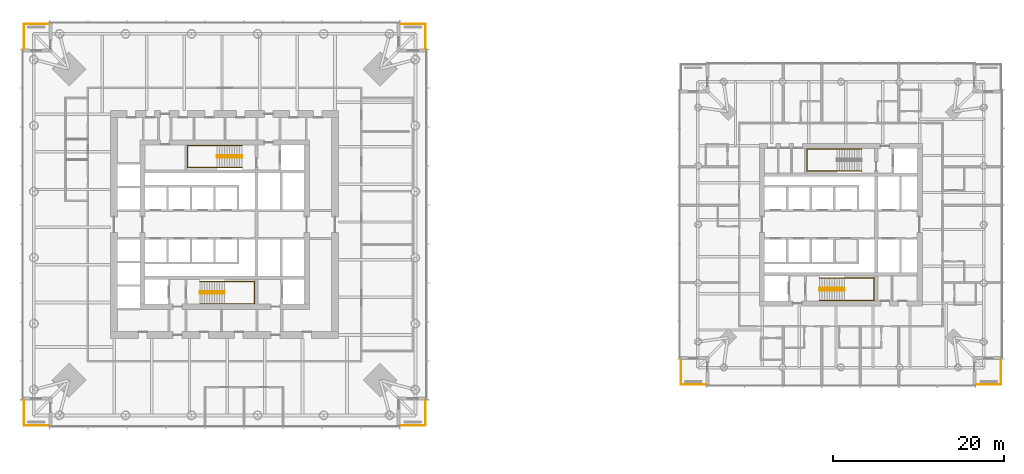
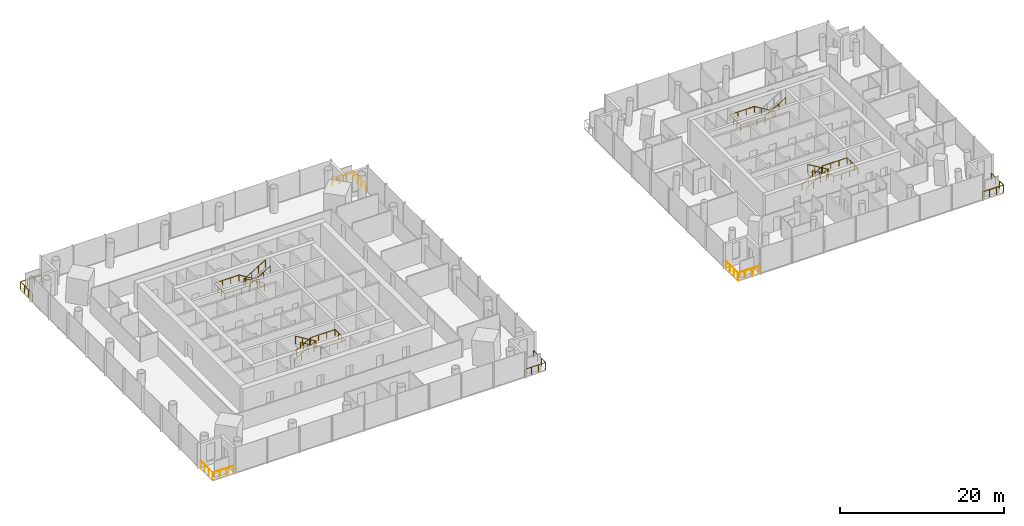
# One storey, part 17 of 18: 13 railings.
"""IFC4 building model written with IfcOpenShell, lengths in metres."""

from ifc_helpers import new_model, si_unit, direction, frame, origin, origin_2d, place, context, subcontext, project, spatial, circle, extrude, material, type_object, element, save


model = new_model("IFC4")

# Units and contexts
model_context = context("Model", 3, precision=1e-05, world=origin(), true_north=direction((0.0, 1.0)))
body_context = subcontext(model_context, "Body", "Model", "MODEL_VIEW")
ifc_project = project(units=[si_unit("LENGTHUNIT", "METRE"), si_unit("AREAUNIT", "SQUARE_METRE"), si_unit("VOLUMEUNIT", "CUBIC_METRE"), si_unit("PLANEANGLEUNIT", "RADIAN"), si_unit("MASSUNIT", "GRAM", prefix="KILO")], contexts=[model_context])

# Site, building, storey
site_placement = place(None, origin())
site = spatial("IfcSite", under=ifc_project, at=site_placement, CompositionType="ELEMENT")
building_placement = place(site_placement, origin())
building = spatial("IfcBuilding", under=site, at=building_placement, Name="Ostroluk Exchange", CompositionType="ELEMENT")
storey_placement = place(building_placement, frame((0.0, 0.0, 74.199951171875)))
storey = spatial("IfcBuildingStorey", under=building, at=storey_placement, Name="L18", CompositionType="ELEMENT", Elevation=74.199951171875)

# Railings
ifc_material_1 = material(Name="Stainless steel", Category="steel")
railing_type_1 = type_object("IfcRailingType", Name="Guard 1100 stainless steel", PredefinedType="GUARDRAIL", material=ifc_material_1)
railing_1_placement = place(storey_placement, frame((65.5, 22.550048828125, 0.0)))
element("IfcRailing", 1, at=railing_1_placement, inside=storey, type_object=railing_type_1, Name="Office tower SE balcony guard L18", PredefinedType="GUARDRAIL", context=body_context, shape_type="SweptSolid", body=[
    extrude(circle(Radius=0.02392578125, at=origin_2d()), frame((0.0, 0.0, 1.076171875), z_axis=(1.0, 0.0, 0.0), x_axis=(0.0, 1.0, 0.0)), (0.0, 0.0, 1.0), 2.949951171875),
    extrude(circle(Radius=0.02392578125, at=origin_2d()), frame((2.949951171875, 0.0, 1.076171875), z_axis=(0.0, 1.0, 0.0), x_axis=(-1.0, 0.0, 0.0)), (0.0, 0.0, 1.0), 2.949951171875),
    extrude(circle(Radius=0.02099609375, at=origin_2d()), origin(), (0.0, 0.0, 1.0), 1.052001953125),
    extrude(circle(Radius=0.02099609375, at=origin_2d()), frame((0.9833984375, 0.0, 0.0)), (0.0, 0.0, 1.0), 1.052001953125),
    extrude(circle(Radius=0.02099609375, at=origin_2d()), frame((1.966552734375, 0.0, 0.0)), (0.0, 0.0, 1.0), 1.052001953125),
    extrude(circle(Radius=0.02099609375, at=origin_2d()), frame((2.949951171875, 0.0, 0.0)), (0.0, 0.0, 1.0), 1.052001953125),
    extrude(circle(Radius=0.02099609375, at=origin_2d()), frame((2.949951171875, 0.9833984375, 0.0)), (0.0, 0.0, 1.0), 1.052001953125),
    extrude(circle(Radius=0.02099609375, at=origin_2d()), frame((2.949951171875, 1.966552734375, 0.0)), (0.0, 0.0, 1.0), 1.052001953125),
    extrude(circle(Radius=0.02099609375, at=origin_2d()), frame((2.949951171875, 2.949951171875, 0.0)), (0.0, 0.0, 1.0), 1.052001953125),
])
railing_2_placement = place(storey_placement, frame((65.5, 69.449951171875, 0.0)))
element("IfcRailing", 2, at=railing_2_placement, inside=storey, type_object=railing_type_1, Name="Office tower NE balcony guard L18", PredefinedType="GUARDRAIL", context=body_context, shape_type="SweptSolid", body=[
    extrude(circle(Radius=0.02392578125, at=origin_2d()), frame((0.0, 0.0, 1.076171875), z_axis=(1.0, 0.0, 0.0), x_axis=(0.0, 1.0, 0.0)), (0.0, 0.0, 1.0), 2.949951171875),
    extrude(circle(Radius=0.02392578125, at=origin_2d()), frame((2.949951171875, 0.0, 1.076171875), z_axis=(0.0, -1.0, 0.0), x_axis=(1.0, 0.0, 0.0)), (0.0, 0.0, 1.0), 2.949951171875),
    extrude(circle(Radius=0.02099609375, at=origin_2d()), origin(), (0.0, 0.0, 1.0), 1.052001953125),
    extrude(circle(Radius=0.02099609375, at=origin_2d()), frame((0.9833984375, 0.0, 0.0)), (0.0, 0.0, 1.0), 1.052001953125),
    extrude(circle(Radius=0.02099609375, at=origin_2d()), frame((1.966552734375, 0.0, 0.0)), (0.0, 0.0, 1.0), 1.052001953125),
    extrude(circle(Radius=0.02099609375, at=origin_2d()), frame((2.949951171875, 0.0, 0.0)), (0.0, 0.0, 1.0), 1.052001953125),
    extrude(circle(Radius=0.02099609375, at=origin_2d()), frame((2.949951171875, -0.9833984375, 0.0)), (0.0, 0.0, 1.0), 1.052001953125),
    extrude(circle(Radius=0.02099609375, at=origin_2d()), frame((2.949951171875, -1.966552734375, 0.0)), (0.0, 0.0, 1.0), 1.052001953125),
    extrude(circle(Radius=0.02099609375, at=origin_2d()), frame((2.949951171875, -2.949951171875, 0.0)), (0.0, 0.0, 1.0), 1.052001953125),
])
railing_3_placement = place(storey_placement, frame((24.5, 69.449951171875, 0.0)))
element("IfcRailing", 3, at=railing_3_placement, inside=storey, type_object=railing_type_1, Name="Office tower NW balcony guard L18", PredefinedType="GUARDRAIL", context=body_context, shape_type="SweptSolid", body=[
    extrude(circle(Radius=0.02392578125, at=origin_2d()), frame((0.0, 0.0, 1.076171875), z_axis=(-1.0, 0.0, 0.0), x_axis=(0.0, -1.0, 0.0)), (0.0, 0.0, 1.0), 2.949951171875),
    extrude(circle(Radius=0.02392578125, at=origin_2d()), frame((-2.949951171875, 0.0, 1.076171875), z_axis=(0.0, -1.0, 0.0), x_axis=(1.0, 0.0, 0.0)), (0.0, 0.0, 1.0), 2.949951171875),
    extrude(circle(Radius=0.02099609375, at=origin_2d()), origin(), (0.0, 0.0, 1.0), 1.052001953125),
    extrude(circle(Radius=0.02099609375, at=origin_2d()), frame((-0.9833984375, 0.0, 0.0)), (0.0, 0.0, 1.0), 1.052001953125),
    extrude(circle(Radius=0.02099609375, at=origin_2d()), frame((-1.966552734375, 0.0, 0.0)), (0.0, 0.0, 1.0), 1.052001953125),
    extrude(circle(Radius=0.02099609375, at=origin_2d()), frame((-2.949951171875, 0.0, 0.0)), (0.0, 0.0, 1.0), 1.052001953125),
    extrude(circle(Radius=0.02099609375, at=origin_2d()), frame((-2.949951171875, -0.9833984375, 0.0)), (0.0, 0.0, 1.0), 1.052001953125),
    extrude(circle(Radius=0.02099609375, at=origin_2d()), frame((-2.949951171875, -1.966552734375, 0.0)), (0.0, 0.0, 1.0), 1.052001953125),
    extrude(circle(Radius=0.02099609375, at=origin_2d()), frame((-2.949951171875, -2.949951171875, 0.0)), (0.0, 0.0, 1.0), 1.052001953125),
])
railing_4_placement = place(storey_placement, frame((24.5, 22.550048828125, 0.0)))
element("IfcRailing", 4, at=railing_4_placement, inside=storey, type_object=railing_type_1, Name="Office tower SW balcony guard L18", PredefinedType="GUARDRAIL", context=body_context, shape_type="SweptSolid", body=[
    extrude(circle(Radius=0.02392578125, at=origin_2d()), frame((0.0, 0.0, 1.076171875), z_axis=(-1.0, 0.0, 0.0), x_axis=(0.0, -1.0, 0.0)), (0.0, 0.0, 1.0), 2.949951171875),
    extrude(circle(Radius=0.02392578125, at=origin_2d()), frame((-2.949951171875, 0.0, 1.076171875), z_axis=(0.0, 1.0, 0.0), x_axis=(-1.0, 0.0, 0.0)), (0.0, 0.0, 1.0), 2.949951171875),
    extrude(circle(Radius=0.02099609375, at=origin_2d()), origin(), (0.0, 0.0, 1.0), 1.052001953125),
    extrude(circle(Radius=0.02099609375, at=origin_2d()), frame((-0.9833984375, 0.0, 0.0)), (0.0, 0.0, 1.0), 1.052001953125),
    extrude(circle(Radius=0.02099609375, at=origin_2d()), frame((-1.966552734375, 0.0, 0.0)), (0.0, 0.0, 1.0), 1.052001953125),
    extrude(circle(Radius=0.02099609375, at=origin_2d()), frame((-2.949951171875, 0.0, 0.0)), (0.0, 0.0, 1.0), 1.052001953125),
    extrude(circle(Radius=0.02099609375, at=origin_2d()), frame((-2.949951171875, 0.9833984375, 0.0)), (0.0, 0.0, 1.0), 1.052001953125),
    extrude(circle(Radius=0.02099609375, at=origin_2d()), frame((-2.949951171875, 1.966552734375, 0.0)), (0.0, 0.0, 1.0), 1.052001953125),
    extrude(circle(Radius=0.02099609375, at=origin_2d()), frame((-2.949951171875, 2.949951171875, 0.0)), (0.0, 0.0, 1.0), 1.052001953125),
])
railing_5_placement = place(storey_placement, frame((132.75, 27.300048828125, 0.0)))
element("IfcRailing", 5, at=railing_5_placement, inside=storey, type_object=railing_type_1, Name="Hotel tower SE balcony guard L18", PredefinedType="GUARDRAIL", context=body_context, shape_type="SweptSolid", body=[
    extrude(circle(Radius=0.02392578125, at=origin_2d()), frame((0.0, 0.0, 1.076171875), z_axis=(1.0, 0.0, 0.0), x_axis=(0.0, 1.0, 0.0)), (0.0, 0.0, 1.0), 2.949951171875),
    extrude(circle(Radius=0.02392578125, at=origin_2d()), frame((2.949951171875, 0.0, 1.076171875), z_axis=(0.0, 1.0, 0.0), x_axis=(-1.0, 0.0, 0.0)), (0.0, 0.0, 1.0), 2.949951171875),
    extrude(circle(Radius=0.02099609375, at=origin_2d()), origin(), (0.0, 0.0, 1.0), 1.052001953125),
    extrude(circle(Radius=0.02099609375, at=origin_2d()), frame((0.9833984375, 0.0, 0.0)), (0.0, 0.0, 1.0), 1.052001953125),
    extrude(circle(Radius=0.02099609375, at=origin_2d()), frame((1.966552734375, 0.0, 0.0)), (0.0, 0.0, 1.0), 1.052001953125),
    extrude(circle(Radius=0.02099609375, at=origin_2d()), frame((2.949951171875, 0.0, 0.0)), (0.0, 0.0, 1.0), 1.052001953125),
    extrude(circle(Radius=0.02099609375, at=origin_2d()), frame((2.949951171875, 0.9833984375, 0.0)), (0.0, 0.0, 1.0), 1.052001953125),
    extrude(circle(Radius=0.02099609375, at=origin_2d()), frame((2.949951171875, 1.966552734375, 0.0)), (0.0, 0.0, 1.0), 1.052001953125),
    extrude(circle(Radius=0.02099609375, at=origin_2d()), frame((2.949951171875, 2.949951171875, 0.0)), (0.0, 0.0, 1.0), 1.052001953125),
])
railing_6_placement = place(storey_placement, frame((101.25, 27.300048828125, 0.0)))
element("IfcRailing", 6, at=railing_6_placement, inside=storey, type_object=railing_type_1, Name="Hotel tower SW balcony guard L18", PredefinedType="GUARDRAIL", context=body_context, shape_type="SweptSolid", body=[
    extrude(circle(Radius=0.02392578125, at=origin_2d()), frame((0.0, 0.0, 1.076171875), z_axis=(-1.0, 0.0, 0.0), x_axis=(0.0, -1.0, 0.0)), (0.0, 0.0, 1.0), 2.949951171875),
    extrude(circle(Radius=0.02392578125, at=origin_2d()), frame((-2.949951171875, 0.0, 1.076171875), z_axis=(0.0, 1.0, 0.0), x_axis=(-1.0, 0.0, 0.0)), (0.0, 0.0, 1.0), 2.949951171875),
    extrude(circle(Radius=0.02099609375, at=origin_2d()), origin(), (0.0, 0.0, 1.0), 1.052001953125),
    extrude(circle(Radius=0.02099609375, at=origin_2d()), frame((-0.9833984375, 0.0, 0.0)), (0.0, 0.0, 1.0), 1.052001953125),
    extrude(circle(Radius=0.02099609375, at=origin_2d()), frame((-1.966552734375, 0.0, 0.0)), (0.0, 0.0, 1.0), 1.052001953125),
    extrude(circle(Radius=0.02099609375, at=origin_2d()), frame((-2.949951171875, 0.0, 0.0)), (0.0, 0.0, 1.0), 1.052001953125),
    extrude(circle(Radius=0.02099609375, at=origin_2d()), frame((-2.949951171875, 0.9833984375, 0.0)), (0.0, 0.0, 1.0), 1.052001953125),
    extrude(circle(Radius=0.02099609375, at=origin_2d()), frame((-2.949951171875, 1.966552734375, 0.0)), (0.0, 0.0, 1.0), 1.052001953125),
    extrude(circle(Radius=0.02099609375, at=origin_2d()), frame((-2.949951171875, 2.949951171875, 0.0)), (0.0, 0.0, 1.0), 1.052001953125),
])
ifc_material_2 = material(Name="Steel S355", Category="steel")
railing_type_2 = type_object("IfcRailingType", Name="Stair guard 1100", PredefinedType="GUARDRAIL", material=ifc_material_2)
railing_7_placement = place(storey_placement, frame((42.10009765625, 38.179931640625, 0.1728515625)))
element("IfcRailing", 7, at=railing_7_placement, inside=storey, type_object=railing_type_2, Name="Stair T1-S1 guard L18", PredefinedType="GUARDRAIL", context=body_context, shape_type="SweptSolid", body=[
    extrude(circle(Radius=0.02392578125, at=origin_2d()), frame((0.0, 0.0, 1.076171875), z_axis=(0.859141464434, 0.0, 0.511738159696), x_axis=(0.0, 1.0, 0.0)), (0.0, 0.0, 1.0), 3.375244140625),
    extrude(circle(Radius=0.02392578125, at=origin_2d()), frame((2.89990234375, 0.0, 2.80322265625), z_axis=(0.0, -1.0, 0.0), x_axis=(1.0, 0.0, 0.0)), (0.0, 0.0, 1.0), 0.260009765625),
    extrude(circle(Radius=0.02392578125, at=origin_2d()), frame((2.89990234375, -0.260009765625, 2.80322265625), z_axis=(0.0, 0.0, 1.0), x_axis=(1.0, 0.0, 0.0)), (0.0, 0.0, 1.0), 0.172607421875),
    extrude(circle(Radius=0.02392578125, at=origin_2d()), frame((2.89990234375, -0.260009765625, 2.97607421875), z_axis=(-0.859141464434, 0.0, 0.511738159696), x_axis=(0.0, -1.0, 0.0)), (0.0, 0.0, 1.0), 3.375244140625),
    extrude(circle(Radius=0.02099609375, at=origin_2d()), origin(), (0.0, 0.0, 1.0), 1.052001953125),
    extrude(circle(Radius=0.02099609375, at=origin_2d()), frame((0.966552734375, 0.0, 0.57568359375)), (0.0, 0.0, 1.0), 1.052001953125),
    extrude(circle(Radius=0.02099609375, at=origin_2d()), frame((1.933349609375, 0.0, 1.151611328125)), (0.0, 0.0, 1.0), 1.052001953125),
    extrude(circle(Radius=0.02099609375, at=origin_2d()), frame((2.89990234375, 0.0, 1.727294921875)), (0.0, 0.0, 1.0), 1.052001953125),
    extrude(circle(Radius=0.02099609375, at=origin_2d()), frame((2.89990234375, -0.260009765625, 1.727294921875)), (0.0, 0.0, 1.0), 1.052001953125),
    extrude(circle(Radius=0.02099609375, at=origin_2d()), frame((2.89990234375, -0.260009765625, 1.89990234375)), (0.0, 0.0, 1.0), 1.052001953125),
    extrude(circle(Radius=0.02099609375, at=origin_2d()), frame((1.933349609375, -0.260009765625, 2.4755859375)), (0.0, 0.0, 1.0), 1.052001953125),
    extrude(circle(Radius=0.02099609375, at=origin_2d()), frame((0.966552734375, -0.260009765625, 3.051513671875)), (0.0, 0.0, 1.0), 1.052001953125),
    extrude(circle(Radius=0.02099609375, at=origin_2d()), frame((0.0, -0.260009765625, 3.627197265625)), (0.0, 0.0, 1.0), 1.052001953125),
])
railing_8_placement = place(storey_placement, frame((47.030029296875, 54.080078125, 0.1728515625)))
element("IfcRailing", 8, at=railing_8_placement, inside=storey, type_object=railing_type_2, Name="Stair T1-S2 guard L18", PredefinedType="GUARDRAIL", context=body_context, shape_type="SweptSolid", body=[
    extrude(circle(Radius=0.02392578125, at=origin_2d()), frame((0.0, 0.0, 1.076171875), z_axis=(-0.859160404282, 0.0, 0.51170636083), x_axis=(0.0, -1.0, 0.0)), (0.0, 0.0, 1.0), 3.37548828125),
    extrude(circle(Radius=0.02392578125, at=origin_2d()), frame((-2.900146484375, 0.0, 2.80322265625), z_axis=(0.0, -1.0, 0.0), x_axis=(1.0, 0.0, 0.0)), (0.0, 0.0, 1.0), 0.260009765625),
    extrude(circle(Radius=0.02392578125, at=origin_2d()), frame((-2.900146484375, -0.260009765625, 2.80322265625), z_axis=(0.0, 0.0, 1.0), x_axis=(1.0, 0.0, 0.0)), (0.0, 0.0, 1.0), 0.172607421875),
    extrude(circle(Radius=0.02392578125, at=origin_2d()), frame((-2.900146484375, -0.260009765625, 2.97607421875), z_axis=(0.859160404282, 0.0, 0.51170636083), x_axis=(0.0, 1.0, 0.0)), (0.0, 0.0, 1.0), 3.37548828125),
    extrude(circle(Radius=0.02099609375, at=origin_2d()), origin(), (0.0, 0.0, 1.0), 1.052001953125),
    extrude(circle(Radius=0.02099609375, at=origin_2d()), frame((-0.966796875, 0.0, 0.57568359375)), (0.0, 0.0, 1.0), 1.052001953125),
    extrude(circle(Radius=0.02099609375, at=origin_2d()), frame((-1.933349609375, 0.0, 1.151611328125)), (0.0, 0.0, 1.0), 1.052001953125),
    extrude(circle(Radius=0.02099609375, at=origin_2d()), frame((-2.900146484375, 0.0, 1.727294921875)), (0.0, 0.0, 1.0), 1.052001953125),
    extrude(circle(Radius=0.02099609375, at=origin_2d()), frame((-2.900146484375, -0.260009765625, 1.727294921875)), (0.0, 0.0, 1.0), 1.052001953125),
    extrude(circle(Radius=0.02099609375, at=origin_2d()), frame((-2.900146484375, -0.260009765625, 1.89990234375)), (0.0, 0.0, 1.0), 1.052001953125),
    extrude(circle(Radius=0.02099609375, at=origin_2d()), frame((-1.933349609375, -0.260009765625, 2.4755859375)), (0.0, 0.0, 1.0), 1.052001953125),
    extrude(circle(Radius=0.02099609375, at=origin_2d()), frame((-0.966796875, -0.260009765625, 3.051513671875)), (0.0, 0.0, 1.0), 1.052001953125),
    extrude(circle(Radius=0.02099609375, at=origin_2d()), frame((0.0, -0.260009765625, 3.627197265625)), (0.0, 0.0, 1.0), 1.052001953125),
])
railing_9_placement = place(storey_placement, frame((114.5, 38.580078125, 0.1728515625)))
element("IfcRailing", 9, at=railing_9_placement, inside=storey, type_object=railing_type_2, Name="Stair T2-S1 guard L18", PredefinedType="GUARDRAIL", context=body_context, shape_type="SweptSolid", body=[
    extrude(circle(Radius=0.02392578125, at=origin_2d()), frame((0.0, 0.0, 1.076171875), z_axis=(0.859141464434, 0.0, 0.511738159696), x_axis=(0.0, 1.0, 0.0)), (0.0, 0.0, 1.0), 3.375244140625),
    extrude(circle(Radius=0.02392578125, at=origin_2d()), frame((2.89990234375, 0.0, 2.80322265625), z_axis=(0.0, -1.0, 0.0), x_axis=(1.0, 0.0, 0.0)), (0.0, 0.0, 1.0), 0.260009765625),
    extrude(circle(Radius=0.02392578125, at=origin_2d()), frame((2.89990234375, -0.260009765625, 2.80322265625), z_axis=(0.0, 0.0, 1.0), x_axis=(1.0, 0.0, 0.0)), (0.0, 0.0, 1.0), 0.172607421875),
    extrude(circle(Radius=0.02392578125, at=origin_2d()), frame((2.89990234375, -0.260009765625, 2.97607421875), z_axis=(-0.859141464434, 0.0, 0.511738159696), x_axis=(0.0, -1.0, 0.0)), (0.0, 0.0, 1.0), 3.375244140625),
    extrude(circle(Radius=0.02099609375, at=origin_2d()), origin(), (0.0, 0.0, 1.0), 1.052001953125),
    extrude(circle(Radius=0.02099609375, at=origin_2d()), frame((0.966552734375, 0.0, 0.57568359375)), (0.0, 0.0, 1.0), 1.052001953125),
    extrude(circle(Radius=0.02099609375, at=origin_2d()), frame((1.933349609375, 0.0, 1.151611328125)), (0.0, 0.0, 1.0), 1.052001953125),
    extrude(circle(Radius=0.02099609375, at=origin_2d()), frame((2.89990234375, 0.0, 1.727294921875)), (0.0, 0.0, 1.0), 1.052001953125),
    extrude(circle(Radius=0.02099609375, at=origin_2d()), frame((2.89990234375, -0.260009765625, 1.727294921875)), (0.0, 0.0, 1.0), 1.052001953125),
    extrude(circle(Radius=0.02099609375, at=origin_2d()), frame((2.89990234375, -0.260009765625, 1.89990234375)), (0.0, 0.0, 1.0), 1.052001953125),
    extrude(circle(Radius=0.02099609375, at=origin_2d()), frame((1.933349609375, -0.260009765625, 2.4755859375)), (0.0, 0.0, 1.0), 1.052001953125),
    extrude(circle(Radius=0.02099609375, at=origin_2d()), frame((0.966552734375, -0.260009765625, 3.051513671875)), (0.0, 0.0, 1.0), 1.052001953125),
    extrude(circle(Radius=0.02099609375, at=origin_2d()), frame((0.0, -0.260009765625, 3.627197265625)), (0.0, 0.0, 1.0), 1.052001953125),
])
ifc_material_3 = material(Name="Stainless steel", Category="steel")
railing_type_3 = type_object("IfcRailingType", Name="Stair handrail 900", PredefinedType="HANDRAIL", material=ifc_material_3)
railing_10_placement = place(storey_placement, frame((42.10009765625, 39.35009765625, 0.1728515625)))
element("IfcRailing", 10, at=railing_10_placement, inside=storey, type_object=railing_type_3, Name="Stair T1-S1 handrail L18", PredefinedType="HANDRAIL", context=body_context, shape_type="SweptSolid", body=[
    extrude(circle(Radius=0.02392578125, at=origin_2d()), frame((0.0, 0.0, 0.8759765625), z_axis=(0.859141464434, 0.0, 0.511738159696), x_axis=(0.0, 1.0, 0.0)), (0.0, 0.0, 1.0), 3.375244140625),
    extrude(circle(Radius=0.02392578125, at=origin_2d()), frame((2.89990234375, 0.0, 2.60302734375), z_axis=(1.0, 0.0, 0.0), x_axis=(0.0, 1.0, 0.0)), (0.0, 0.0, 1.0), 3.47998046875),
    extrude(circle(Radius=0.02392578125, at=origin_2d()), frame((6.3798828125, 0.0, 2.60302734375), z_axis=(0.0, -1.0, 0.0), x_axis=(1.0, 0.0, 0.0)), (0.0, 0.0, 1.0), 2.60009765625),
    extrude(circle(Radius=0.02392578125, at=origin_2d()), frame((6.3798828125, -2.60009765625, 2.60302734375), z_axis=(-1.0, 0.0, 0.0), x_axis=(0.0, -1.0, 0.0)), (0.0, 0.0, 1.0), 3.47998046875),
    extrude(circle(Radius=0.02392578125, at=origin_2d()), frame((2.89990234375, -2.60009765625, 2.60302734375), z_axis=(0.0, 0.0, 1.0), x_axis=(1.0, 0.0, 0.0)), (0.0, 0.0, 1.0), 0.172607421875),
    extrude(circle(Radius=0.02392578125, at=origin_2d()), frame((2.89990234375, -2.60009765625, 2.77587890625), z_axis=(-0.859141464434, 0.0, 0.511738159696), x_axis=(0.0, -1.0, 0.0)), (0.0, 0.0, 1.0), 3.375244140625),
    extrude(circle(Radius=0.02099609375, at=origin_2d()), origin(), (0.0, 0.0, 1.0), 0.851806640625),
    extrude(circle(Radius=0.02099609375, at=origin_2d()), frame((0.966552734375, 0.0, 0.57568359375)), (0.0, 0.0, 1.0), 0.851806640625),
    extrude(circle(Radius=0.02099609375, at=origin_2d()), frame((1.933349609375, 0.0, 1.151611328125)), (0.0, 0.0, 1.0), 0.851806640625),
    extrude(circle(Radius=0.02099609375, at=origin_2d()), frame((2.89990234375, 0.0, 1.727294921875)), (0.0, 0.0, 1.0), 0.851806640625),
    extrude(circle(Radius=0.02099609375, at=origin_2d()), frame((4.059814453125, 0.0, 1.727294921875)), (0.0, 0.0, 1.0), 0.851806640625),
    extrude(circle(Radius=0.02099609375, at=origin_2d()), frame((5.219970703125, 0.0, 1.727294921875)), (0.0, 0.0, 1.0), 0.851806640625),
    extrude(circle(Radius=0.02099609375, at=origin_2d()), frame((6.3798828125, 0.0, 1.727294921875)), (0.0, 0.0, 1.0), 0.851806640625),
    extrude(circle(Radius=0.02099609375, at=origin_2d()), frame((6.3798828125, -0.86669921875, 1.727294921875)), (0.0, 0.0, 1.0), 0.851806640625),
    extrude(circle(Radius=0.02099609375, at=origin_2d()), frame((6.3798828125, -1.7333984375, 1.727294921875)), (0.0, 0.0, 1.0), 0.851806640625),
    extrude(circle(Radius=0.02099609375, at=origin_2d()), frame((6.3798828125, -2.60009765625, 1.727294921875)), (0.0, 0.0, 1.0), 0.851806640625),
    extrude(circle(Radius=0.02099609375, at=origin_2d()), frame((5.219970703125, -2.60009765625, 1.727294921875)), (0.0, 0.0, 1.0), 0.851806640625),
    extrude(circle(Radius=0.02099609375, at=origin_2d()), frame((4.059814453125, -2.60009765625, 1.727294921875)), (0.0, 0.0, 1.0), 0.851806640625),
    extrude(circle(Radius=0.02099609375, at=origin_2d()), frame((2.89990234375, -2.60009765625, 1.727294921875)), (0.0, 0.0, 1.0), 0.851806640625),
    extrude(circle(Radius=0.02099609375, at=origin_2d()), frame((2.89990234375, -2.60009765625, 1.89990234375)), (0.0, 0.0, 1.0), 0.851806640625),
    extrude(circle(Radius=0.02099609375, at=origin_2d()), frame((1.933349609375, -2.60009765625, 2.4755859375)), (0.0, 0.0, 1.0), 0.851806640625),
    extrude(circle(Radius=0.02099609375, at=origin_2d()), frame((0.966552734375, -2.60009765625, 3.051513671875)), (0.0, 0.0, 1.0), 0.851806640625),
    extrude(circle(Radius=0.02099609375, at=origin_2d()), frame((0.0, -2.60009765625, 3.627197265625)), (0.0, 0.0, 1.0), 0.851806640625),
])
railing_11_placement = place(storey_placement, frame((47.030029296875, 55.25, 0.1728515625)))
element("IfcRailing", 11, at=railing_11_placement, inside=storey, type_object=railing_type_3, Name="Stair T1-S2 handrail L18", PredefinedType="HANDRAIL", context=body_context, shape_type="SweptSolid", body=[
    extrude(circle(Radius=0.02392578125, at=origin_2d()), frame((0.0, 0.0, 0.8759765625), z_axis=(-0.859160404282, 0.0, 0.51170636083), x_axis=(0.0, -1.0, 0.0)), (0.0, 0.0, 1.0), 3.37548828125),
    extrude(circle(Radius=0.02392578125, at=origin_2d()), frame((-2.900146484375, 0.0, 2.60302734375), z_axis=(-1.0, 0.0, 0.0), x_axis=(0.0, -1.0, 0.0)), (0.0, 0.0, 1.0), 3.47998046875),
    extrude(circle(Radius=0.02392578125, at=origin_2d()), frame((-6.380126953125, 0.0, 2.60302734375), z_axis=(0.0, -1.0, 0.0), x_axis=(1.0, 0.0, 0.0)), (0.0, 0.0, 1.0), 2.60009765625),
    extrude(circle(Radius=0.02392578125, at=origin_2d()), frame((-6.380126953125, -2.60009765625, 2.60302734375), z_axis=(1.0, 0.0, 0.0), x_axis=(0.0, 1.0, 0.0)), (0.0, 0.0, 1.0), 3.47998046875),
    extrude(circle(Radius=0.02392578125, at=origin_2d()), frame((-2.900146484375, -2.60009765625, 2.60302734375), z_axis=(0.0, 0.0, 1.0), x_axis=(1.0, 0.0, 0.0)), (0.0, 0.0, 1.0), 0.172607421875),
    extrude(circle(Radius=0.02392578125, at=origin_2d()), frame((-2.900146484375, -2.60009765625, 2.77587890625), z_axis=(0.859160404282, 0.0, 0.51170636083), x_axis=(0.0, 1.0, 0.0)), (0.0, 0.0, 1.0), 3.37548828125),
    extrude(circle(Radius=0.02099609375, at=origin_2d()), origin(), (0.0, 0.0, 1.0), 0.851806640625),
    extrude(circle(Radius=0.02099609375, at=origin_2d()), frame((-0.966796875, 0.0, 0.57568359375)), (0.0, 0.0, 1.0), 0.851806640625),
    extrude(circle(Radius=0.02099609375, at=origin_2d()), frame((-1.933349609375, 0.0, 1.151611328125)), (0.0, 0.0, 1.0), 0.851806640625),
    extrude(circle(Radius=0.02099609375, at=origin_2d()), frame((-2.900146484375, 0.0, 1.727294921875)), (0.0, 0.0, 1.0), 0.851806640625),
    extrude(circle(Radius=0.02099609375, at=origin_2d()), frame((-4.06005859375, 0.0, 1.727294921875)), (0.0, 0.0, 1.0), 0.851806640625),
    extrude(circle(Radius=0.02099609375, at=origin_2d()), frame((-5.22021484375, 0.0, 1.727294921875)), (0.0, 0.0, 1.0), 0.851806640625),
    extrude(circle(Radius=0.02099609375, at=origin_2d()), frame((-6.380126953125, 0.0, 1.727294921875)), (0.0, 0.0, 1.0), 0.851806640625),
    extrude(circle(Radius=0.02099609375, at=origin_2d()), frame((-6.380126953125, -0.86669921875, 1.727294921875)), (0.0, 0.0, 1.0), 0.851806640625),
    extrude(circle(Radius=0.02099609375, at=origin_2d()), frame((-6.380126953125, -1.7333984375, 1.727294921875)), (0.0, 0.0, 1.0), 0.851806640625),
    extrude(circle(Radius=0.02099609375, at=origin_2d()), frame((-6.380126953125, -2.60009765625, 1.727294921875)), (0.0, 0.0, 1.0), 0.851806640625),
    extrude(circle(Radius=0.02099609375, at=origin_2d()), frame((-5.22021484375, -2.60009765625, 1.727294921875)), (0.0, 0.0, 1.0), 0.851806640625),
    extrude(circle(Radius=0.02099609375, at=origin_2d()), frame((-4.06005859375, -2.60009765625, 1.727294921875)), (0.0, 0.0, 1.0), 0.851806640625),
    extrude(circle(Radius=0.02099609375, at=origin_2d()), frame((-2.900146484375, -2.60009765625, 1.727294921875)), (0.0, 0.0, 1.0), 0.851806640625),
    extrude(circle(Radius=0.02099609375, at=origin_2d()), frame((-2.900146484375, -2.60009765625, 1.89990234375)), (0.0, 0.0, 1.0), 0.851806640625),
    extrude(circle(Radius=0.02099609375, at=origin_2d()), frame((-1.933349609375, -2.60009765625, 2.4755859375)), (0.0, 0.0, 1.0), 0.851806640625),
    extrude(circle(Radius=0.02099609375, at=origin_2d()), frame((-0.966796875, -2.60009765625, 3.051513671875)), (0.0, 0.0, 1.0), 0.851806640625),
    extrude(circle(Radius=0.02099609375, at=origin_2d()), frame((0.0, -2.60009765625, 3.627197265625)), (0.0, 0.0, 1.0), 0.851806640625),
])
railing_12_placement = place(storey_placement, frame((114.5, 39.75, 0.1728515625)))
element("IfcRailing", 12, at=railing_12_placement, inside=storey, type_object=railing_type_3, Name="Stair T2-S1 handrail L18", PredefinedType="HANDRAIL", context=body_context, shape_type="SweptSolid", body=[
    extrude(circle(Radius=0.02392578125, at=origin_2d()), frame((0.0, 0.0, 0.8759765625), z_axis=(0.859141464434, 0.0, 0.511738159696), x_axis=(0.0, 1.0, 0.0)), (0.0, 0.0, 1.0), 3.375244140625),
    extrude(circle(Radius=0.02392578125, at=origin_2d()), frame((2.89990234375, 0.0, 2.60302734375), z_axis=(1.0, 0.0, 0.0), x_axis=(0.0, 1.0, 0.0)), (0.0, 0.0, 1.0), 3.47998046875),
    extrude(circle(Radius=0.02392578125, at=origin_2d()), frame((6.3798828125, 0.0, 2.60302734375), z_axis=(0.0, -1.0, 0.0), x_axis=(1.0, 0.0, 0.0)), (0.0, 0.0, 1.0), 2.60009765625),
    extrude(circle(Radius=0.02392578125, at=origin_2d()), frame((6.3798828125, -2.60009765625, 2.60302734375), z_axis=(-1.0, 0.0, 0.0), x_axis=(0.0, -1.0, 0.0)), (0.0, 0.0, 1.0), 3.47998046875),
    extrude(circle(Radius=0.02392578125, at=origin_2d()), frame((2.89990234375, -2.60009765625, 2.60302734375), z_axis=(0.0, 0.0, 1.0), x_axis=(1.0, 0.0, 0.0)), (0.0, 0.0, 1.0), 0.172607421875),
    extrude(circle(Radius=0.02392578125, at=origin_2d()), frame((2.89990234375, -2.60009765625, 2.77587890625), z_axis=(-0.859141464434, 0.0, 0.511738159696), x_axis=(0.0, -1.0, 0.0)), (0.0, 0.0, 1.0), 3.375244140625),
    extrude(circle(Radius=0.02099609375, at=origin_2d()), origin(), (0.0, 0.0, 1.0), 0.851806640625),
    extrude(circle(Radius=0.02099609375, at=origin_2d()), frame((0.966552734375, 0.0, 0.57568359375)), (0.0, 0.0, 1.0), 0.851806640625),
    extrude(circle(Radius=0.02099609375, at=origin_2d()), frame((1.933349609375, 0.0, 1.151611328125)), (0.0, 0.0, 1.0), 0.851806640625),
    extrude(circle(Radius=0.02099609375, at=origin_2d()), frame((2.89990234375, 0.0, 1.727294921875)), (0.0, 0.0, 1.0), 0.851806640625),
    extrude(circle(Radius=0.02099609375, at=origin_2d()), frame((4.059814453125, 0.0, 1.727294921875)), (0.0, 0.0, 1.0), 0.851806640625),
    extrude(circle(Radius=0.02099609375, at=origin_2d()), frame((5.219970703125, 0.0, 1.727294921875)), (0.0, 0.0, 1.0), 0.851806640625),
    extrude(circle(Radius=0.02099609375, at=origin_2d()), frame((6.3798828125, 0.0, 1.727294921875)), (0.0, 0.0, 1.0), 0.851806640625),
    extrude(circle(Radius=0.02099609375, at=origin_2d()), frame((6.3798828125, -0.86669921875, 1.727294921875)), (0.0, 0.0, 1.0), 0.851806640625),
    extrude(circle(Radius=0.02099609375, at=origin_2d()), frame((6.3798828125, -1.7333984375, 1.727294921875)), (0.0, 0.0, 1.0), 0.851806640625),
    extrude(circle(Radius=0.02099609375, at=origin_2d()), frame((6.3798828125, -2.60009765625, 1.727294921875)), (0.0, 0.0, 1.0), 0.851806640625),
    extrude(circle(Radius=0.02099609375, at=origin_2d()), frame((5.219970703125, -2.60009765625, 1.727294921875)), (0.0, 0.0, 1.0), 0.851806640625),
    extrude(circle(Radius=0.02099609375, at=origin_2d()), frame((4.059814453125, -2.60009765625, 1.727294921875)), (0.0, 0.0, 1.0), 0.851806640625),
    extrude(circle(Radius=0.02099609375, at=origin_2d()), frame((2.89990234375, -2.60009765625, 1.727294921875)), (0.0, 0.0, 1.0), 0.851806640625),
    extrude(circle(Radius=0.02099609375, at=origin_2d()), frame((2.89990234375, -2.60009765625, 1.89990234375)), (0.0, 0.0, 1.0), 0.851806640625),
    extrude(circle(Radius=0.02099609375, at=origin_2d()), frame((1.933349609375, -2.60009765625, 2.4755859375)), (0.0, 0.0, 1.0), 0.851806640625),
    extrude(circle(Radius=0.02099609375, at=origin_2d()), frame((0.966552734375, -2.60009765625, 3.051513671875)), (0.0, 0.0, 1.0), 0.851806640625),
    extrude(circle(Radius=0.02099609375, at=origin_2d()), frame((0.0, -2.60009765625, 3.627197265625)), (0.0, 0.0, 1.0), 0.851806640625),
])
railing_13_placement = place(storey_placement, frame((119.429931640625, 54.85009765625, 0.1728515625)))
element("IfcRailing", 13, at=railing_13_placement, inside=storey, type_object=railing_type_3, Name="Stair T2-S2 handrail L18", PredefinedType="HANDRAIL", context=body_context, shape_type="SweptSolid", body=[
    extrude(circle(Radius=0.02392578125, at=origin_2d()), frame((0.0, 0.0, 0.8759765625), z_axis=(-0.859141464434, 0.0, 0.511738159696), x_axis=(0.0, -1.0, 0.0)), (0.0, 0.0, 1.0), 3.375244140625),
    extrude(circle(Radius=0.02392578125, at=origin_2d()), frame((-2.89990234375, 0.0, 2.60302734375), z_axis=(-1.0, 0.0, 0.0), x_axis=(0.0, -1.0, 0.0)), (0.0, 0.0, 1.0), 3.47998046875),
    extrude(circle(Radius=0.02392578125, at=origin_2d()), frame((-6.3798828125, 0.0, 2.60302734375), z_axis=(0.0, -1.0, 0.0), x_axis=(1.0, 0.0, 0.0)), (0.0, 0.0, 1.0), 2.60009765625),
    extrude(circle(Radius=0.02392578125, at=origin_2d()), frame((-6.3798828125, -2.60009765625, 2.60302734375), z_axis=(1.0, 0.0, 0.0), x_axis=(0.0, 1.0, 0.0)), (0.0, 0.0, 1.0), 3.47998046875),
    extrude(circle(Radius=0.02392578125, at=origin_2d()), frame((-2.89990234375, -2.60009765625, 2.60302734375), z_axis=(0.0, 0.0, 1.0), x_axis=(1.0, 0.0, 0.0)), (0.0, 0.0, 1.0), 0.172607421875),
    extrude(circle(Radius=0.02392578125, at=origin_2d()), frame((-2.89990234375, -2.60009765625, 2.77587890625), z_axis=(0.859141464434, 0.0, 0.511738159696), x_axis=(0.0, 1.0, 0.0)), (0.0, 0.0, 1.0), 3.375244140625),
    extrude(circle(Radius=0.02099609375, at=origin_2d()), origin(), (0.0, 0.0, 1.0), 0.851806640625),
    extrude(circle(Radius=0.02099609375, at=origin_2d()), frame((-0.966552734375, 0.0, 0.57568359375)), (0.0, 0.0, 1.0), 0.851806640625),
    extrude(circle(Radius=0.02099609375, at=origin_2d()), frame((-1.933349609375, 0.0, 1.151611328125)), (0.0, 0.0, 1.0), 0.851806640625),
    extrude(circle(Radius=0.02099609375, at=origin_2d()), frame((-2.89990234375, 0.0, 1.727294921875)), (0.0, 0.0, 1.0), 0.851806640625),
    extrude(circle(Radius=0.02099609375, at=origin_2d()), frame((-4.059814453125, 0.0, 1.727294921875)), (0.0, 0.0, 1.0), 0.851806640625),
    extrude(circle(Radius=0.02099609375, at=origin_2d()), frame((-5.219970703125, 0.0, 1.727294921875)), (0.0, 0.0, 1.0), 0.851806640625),
    extrude(circle(Radius=0.02099609375, at=origin_2d()), frame((-6.3798828125, 0.0, 1.727294921875)), (0.0, 0.0, 1.0), 0.851806640625),
    extrude(circle(Radius=0.02099609375, at=origin_2d()), frame((-6.3798828125, -0.86669921875, 1.727294921875)), (0.0, 0.0, 1.0), 0.851806640625),
    extrude(circle(Radius=0.02099609375, at=origin_2d()), frame((-6.3798828125, -1.7333984375, 1.727294921875)), (0.0, 0.0, 1.0), 0.851806640625),
    extrude(circle(Radius=0.02099609375, at=origin_2d()), frame((-6.3798828125, -2.60009765625, 1.727294921875)), (0.0, 0.0, 1.0), 0.851806640625),
    extrude(circle(Radius=0.02099609375, at=origin_2d()), frame((-5.219970703125, -2.60009765625, 1.727294921875)), (0.0, 0.0, 1.0), 0.851806640625),
    extrude(circle(Radius=0.02099609375, at=origin_2d()), frame((-4.059814453125, -2.60009765625, 1.727294921875)), (0.0, 0.0, 1.0), 0.851806640625),
    extrude(circle(Radius=0.02099609375, at=origin_2d()), frame((-2.89990234375, -2.60009765625, 1.727294921875)), (0.0, 0.0, 1.0), 0.851806640625),
    extrude(circle(Radius=0.02099609375, at=origin_2d()), frame((-2.89990234375, -2.60009765625, 1.89990234375)), (0.0, 0.0, 1.0), 0.851806640625),
    extrude(circle(Radius=0.02099609375, at=origin_2d()), frame((-1.933349609375, -2.60009765625, 2.4755859375)), (0.0, 0.0, 1.0), 0.851806640625),
    extrude(circle(Radius=0.02099609375, at=origin_2d()), frame((-0.966552734375, -2.60009765625, 3.051513671875)), (0.0, 0.0, 1.0), 0.851806640625),
    extrude(circle(Radius=0.02099609375, at=origin_2d()), frame((0.0, -2.60009765625, 3.627197265625)), (0.0, 0.0, 1.0), 0.851806640625),
])

save(model, "model.ifc")
